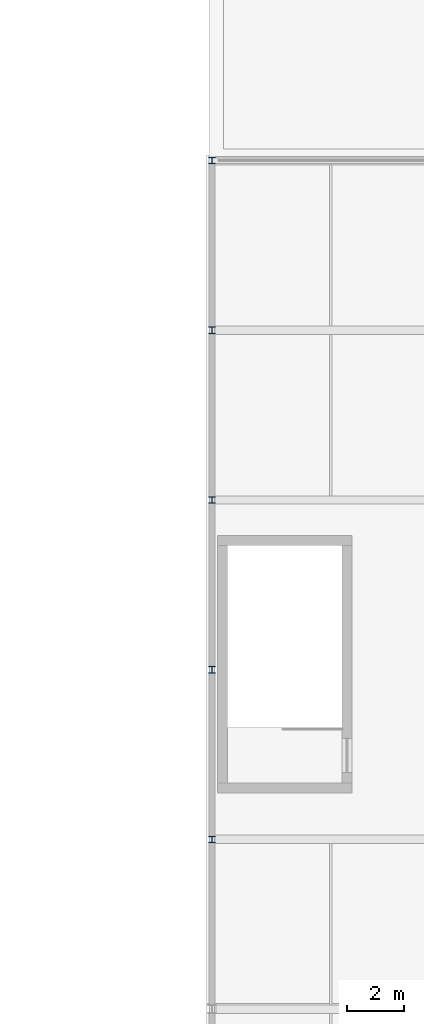
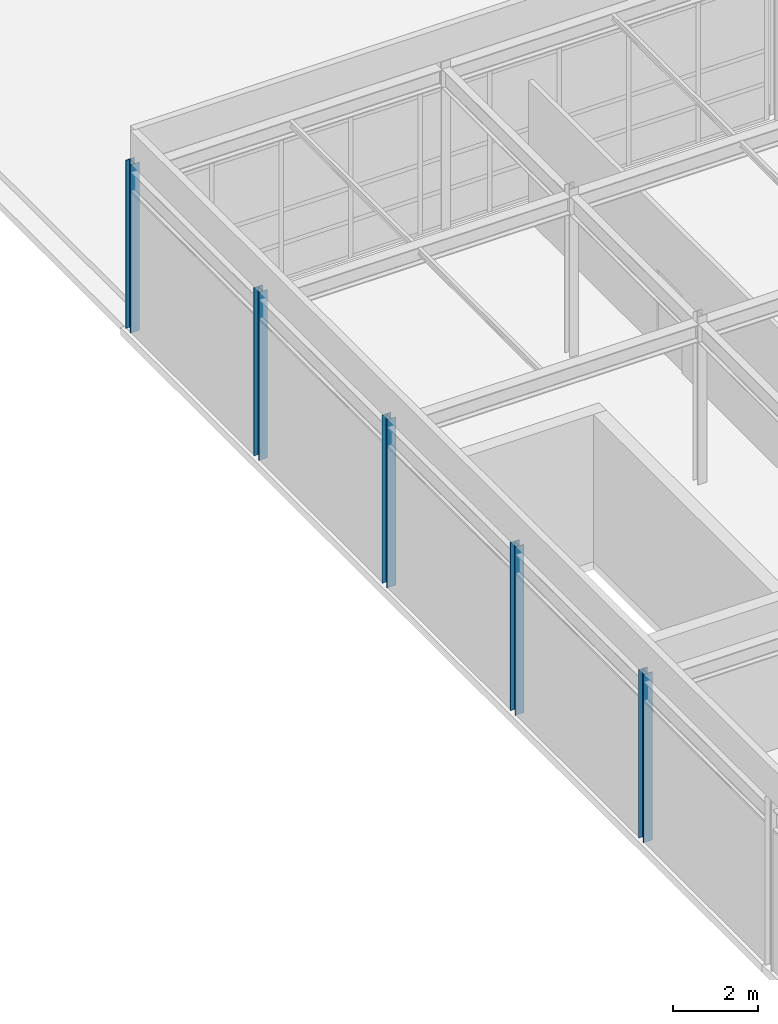
# One storey, part 3 of 38: 5 columns.
"""IFC4 building model written with IfcOpenShell, lengths in metres."""

from ifc_helpers import new_model, si_unit, direction, frame, origin, origin_2d, place, context, subcontext, project, spatial, i_section, extrude, material, material_profile, profile_set, type_object, element, save


model = new_model("IFC4")

# Units and contexts
model_context = context("Model", 3, precision=1e-05, world=origin(), true_north=direction((0.0, 1.0)))
body_context = subcontext(model_context, "Body", "Model", "MODEL_VIEW")
ifc_project = project(units=[si_unit("LENGTHUNIT", "METRE"), si_unit("AREAUNIT", "SQUARE_METRE"), si_unit("VOLUMEUNIT", "CUBIC_METRE"), si_unit("PLANEANGLEUNIT", "RADIAN"), si_unit("MASSUNIT", "GRAM", prefix="KILO")], contexts=[model_context])

# Site, building, storey
site_placement = place(None, origin())
site = spatial("IfcSite", under=ifc_project, at=site_placement, CompositionType="ELEMENT")
building_placement = place(site_placement, origin())
building = spatial("IfcBuilding", under=site, at=building_placement, Name="Kaldris Quays Convention Centre", CompositionType="ELEMENT")
storey_placement = place(building_placement, frame((0.0, 0.0, 21.60009765625)))
storey = spatial("IfcBuildingStorey", under=building, at=storey_placement, Name="L04", CompositionType="ELEMENT", Elevation=21.60009765625)

# Columns
ifc_material = material(Name="Steel S355J2", Category="steel")
ifc_material_profile = material_profile(ifc_material, i_section(OverallWidth=0.239990234375, OverallDepth=0.239990234375, WebThickness=0.010009765625, FlangeThickness=0.01708984375, FilletRadius=0.02099609375, at=origin_2d()), Name="HEB 240")
ifc_profile_set = profile_set([ifc_material_profile], Name="Steel S355J2")
column_type = type_object("IfcColumnType", Name="STRUCTURAL COLUMN CL20", PredefinedType="COLUMN", material=ifc_profile_set)
for number, where, z_axis, x_axis, name in (
    (1, (146.60009765625, 74.0, 0.0), (0.0, 0.0, 1.0), (1.0, 0.0, 0.0), "L04 V4 Column CL20 (146.60, 74.00)"),
    (2, (146.60009765625, 80.0, 0.0), (0.0, 0.0, 1.0), (1.0, 0.0, 0.0), "L04 V4 Column CL20 (146.60, 80.00)"),
    (3, (146.60009765625, 86.0, 0.0), (0.0, 0.0, 1.0), (1.0, 0.0, 0.0), "L04 V4 Column CL20 (146.60, 86.00)"),
    (4, (146.60009765625, 92.0, 0.0), (0.0, 0.0, 1.0), (1.0, 0.0, 0.0), "L04 V4 Column CL20 (146.60, 92.00)"),
    (5, (146.60009765625, 98.0, 0.0), (0.0, 0.0, 1.0), (1.0, 0.0, 0.0), "L04 V4 Column CL20 (146.60, 98.00)"),
):
    element("IfcColumn", number, at=place(storey_placement, frame(where, z_axis=z_axis, x_axis=x_axis)), inside=storey, type_object=column_type, Name=name, PredefinedType="COLUMN", context=body_context, shape_type="SweptSolid", body=[
        extrude(i_section(OverallWidth=0.239990234375, OverallDepth=0.239990234375, WebThickness=0.010009765625, FlangeThickness=0.01708984375, FilletRadius=0.02099609375, at=origin_2d()), origin(), (0.0, 0.0, 1.0), 4.7998046875),
    ])

save(model, "model.ifc")
